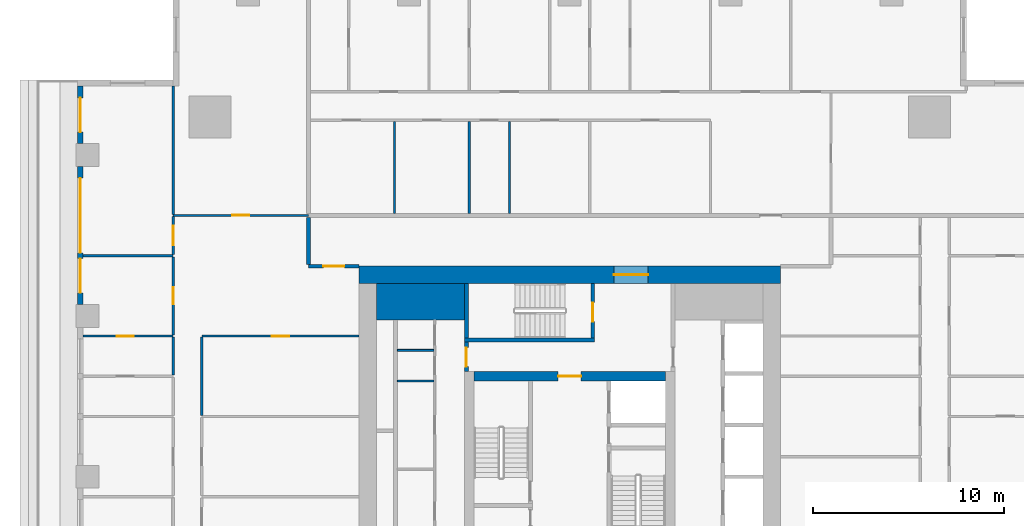
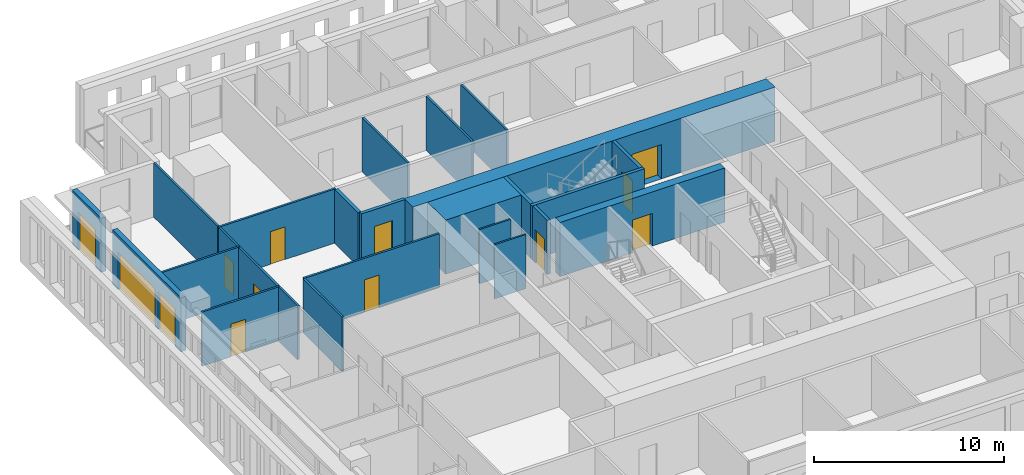
# One storey, part 6 of 14: 25 walls, 13 doors, 13 openings.
"""IFC4 building model written with IfcOpenShell, lengths in metres."""

from ifc_helpers import new_model, si_unit, direction, frame, frame_2d, origin, place, context, subcontext, project, spatial, rectangle, extrude, material, layer, layer_set, type_object, element, fill, save


model = new_model("IFC4")

# Units and contexts
model_context = context("Model", 3, precision=1e-05, world=origin(), true_north=direction((0.0, 1.0)))
body_context = subcontext(model_context, "Body", "Model", "MODEL_VIEW")
ifc_project = project(units=[si_unit("LENGTHUNIT", "METRE"), si_unit("AREAUNIT", "SQUARE_METRE"), si_unit("VOLUMEUNIT", "CUBIC_METRE"), si_unit("PLANEANGLEUNIT", "RADIAN"), si_unit("MASSUNIT", "GRAM", prefix="KILO")], contexts=[model_context])

# Site, building, storey
site_placement = place(None, origin())
site = spatial("IfcSite", under=ifc_project, at=site_placement, CompositionType="ELEMENT")
building_placement = place(site_placement, origin())
building = spatial("IfcBuilding", under=site, at=building_placement, Name="Khepri Terraces", CompositionType="ELEMENT")
storey_placement = place(building_placement, frame((0.0, 0.0, 275.699951171875)))
storey = spatial("IfcBuildingStorey", under=building, at=storey_placement, Name="L66", CompositionType="ELEMENT", Elevation=275.699951171875)

# Walls
ifc_material_1 = material(Name="Concrete C40/50", Category="concrete")
ifc_layer_1 = layer(ifc_material_1, 1.89990234375, Name="Concrete C40/50", Category="concrete")
ifc_layer_set_1 = layer_set([ifc_layer_1], Name="Concrete C40/50")
wall_type_1 = type_object("IfcWallType", Name="Core wall 1900 C40/50", PredefinedType="SHEAR", material=ifc_layer_set_1)
wall_1_placement = place(storey_placement, frame((-10.10009765625, 9.14990234375, 0.0), z_axis=(0.0, 0.0, 1.0), x_axis=(1.0, 0.0, 0.0)))
element("IfcWall", 1, at=wall_1_placement, inside=storey, type_object=wall_type_1, Name="Core wall PR03 L66", PredefinedType="SHEAR", context=body_context, shape_type="SweptSolid", body=[
    extrude(rectangle(XDim=4.60009765625, YDim=1.89990234375, at=frame_2d((2.300048828125, 0.0))), origin(), (0.0, 0.0, 1.0), 3.47998046875),
])
ifc_layer_2 = layer(ifc_material_1, 0.199951171875, Name="Concrete C40/50", Category="concrete")
ifc_layer_set_2 = layer_set([ifc_layer_2], Name="Concrete C40/50")
wall_type_2 = type_object("IfcWallType", Name="Core wall 200 C40/50", PredefinedType="SHEAR", material=ifc_layer_set_2)
wall_2_placement = place(storey_placement, frame((-5.5, 7.14990234375, 0.0), z_axis=(0.0, 0.0, 1.0), x_axis=(1.0, 0.0, 0.0)))
element("IfcWall", 2, at=wall_2_placement, inside=storey, type_object=wall_type_2, Name="Core wall ST05 L66", PredefinedType="SHEAR", context=body_context, shape_type="SweptSolid", body=[
    extrude(rectangle(XDim=6.800048828125, YDim=0.199951171875, at=frame_2d((3.39990234375, 0.0))), origin(), (0.0, 0.0, 1.0), 3.47998046875),
])
wall_3_placement = place(storey_placement, frame((-5.39990234375, 7.25, 0.0), z_axis=(0.0, 0.0, 1.0), x_axis=(0.0, 1.0, 0.0)))
element("IfcWall", 3, at=wall_3_placement, inside=storey, type_object=wall_type_2, Name="Core wall ST06 L66", PredefinedType="SHEAR", context=body_context, shape_type="SweptSolid", body=[
    extrude(rectangle(XDim=2.85009765625, YDim=0.199951171875, at=frame_2d((1.425048828125, 0.0))), origin(), (0.0, 0.0, 1.0), 3.47998046875),
])

# Wall, opening, door
wall_4_placement = place(storey_placement, frame((1.199951171875, 7.25, 0.0), z_axis=(0.0, 0.0, 1.0), x_axis=(0.0, 1.0, 0.0)))
wall_4 = element("IfcWall", 4, at=wall_4_placement, inside=storey, type_object=wall_type_2, Name="Core wall ST07 L66", PredefinedType="SHEAR", context=body_context, shape_type="SweptSolid", body=[
    extrude(rectangle(XDim=2.85009765625, YDim=0.199951171875, at=frame_2d((1.425048828125, 0.0))), origin(), (0.0, 0.0, 1.0), 3.47998046875),
])
opening_1_placement = place(wall_4_placement, frame((0.85009765625, 0.0, 0.0)))
opening_1 = element("IfcOpeningElement", 5, at=opening_1_placement, cuts=wall_4, Name="Opening L66-C15", PredefinedType="OPENING", context=body_context, shape_type="SweptSolid", body=[
    extrude(rectangle(XDim=1.0, YDim=2.10009765625, at=frame_2d((0.5, 1.050048828125))), frame((0.0, 0.10986328125, 0.0), z_axis=(0.0, -1.0, 0.0), x_axis=(1.0, 0.0, 0.0)), (0.0, 0.0, 1.0), 0.219970703125),
])
ifc_material_2 = material(Name="Painted steel", Category="steel")
door_type_1 = type_object("IfcDoorType", Name="DR-CORE-STAIR-1000", OperationType="NOTDEFINED", PredefinedType="DOOR", material=ifc_material_2)
door_1_placement = place(opening_1_placement, origin())
door_1 = element("IfcDoor", 6, at=door_1_placement, inside=storey, type_object=door_type_1, Name="Stair door L66-C15", OperationType="SINGLE_SWING_LEFT", OverallHeight=2.10009765625, OverallWidth=1.0, PredefinedType="DOOR", context=body_context, shape_type="SweptSolid", body=[
    extrude(rectangle(XDim=1.0, YDim=2.10009765625, at=frame_2d((0.5, 1.050048828125))), frame((0.0, 0.02490234375, 0.0), z_axis=(0.0, -1.0, 0.0), x_axis=(1.0, 0.0, 0.0)), (0.0, 0.0, 1.0), 0.050048828125),
])
fill(opening_1, door_1)

ifc_layer_3 = layer(ifc_material_1, 0.5, Name="Concrete C40/50", Category="concrete")
ifc_layer_set_3 = layer_set([ifc_layer_3], Name="Concrete C40/50")
wall_type_3 = type_object("IfcWallType", Name="Core wall 500 C40/50", PredefinedType="SHEAR", material=ifc_layer_set_3)
wall_5_placement = place(storey_placement, frame((-5.0, 5.25, 0.0), z_axis=(0.0, 0.0, 1.0), x_axis=(1.0, 0.0, 0.0)))
wall_5 = element("IfcWall", 7, at=wall_5_placement, inside=storey, type_object=wall_type_3, Name="Core wall BX04 L66", PredefinedType="SHEAR", context=body_context, shape_type="SweptSolid", body=[
    extrude(rectangle(XDim=10.0, YDim=0.5, at=frame_2d((5.0, 0.0))), origin(), (0.0, 0.0, 1.0), 3.47998046875),
])
opening_2_placement = place(wall_5_placement, frame((4.39990234375, 0.0, 0.0)))
opening_2 = element("IfcOpeningElement", 8, at=opening_2_placement, cuts=wall_5, Name="Opening L66-C13", PredefinedType="OPENING", context=body_context, shape_type="SweptSolid", body=[
    extrude(rectangle(XDim=1.199951171875, YDim=2.10009765625, at=frame_2d((0.60009765625, 1.050048828125))), frame((0.0, 0.260009765625, 0.0), z_axis=(0.0, -1.0, 0.0), x_axis=(1.0, 0.0, 0.0)), (0.0, 0.0, 1.0), 0.52001953125),
])
door_type_2 = type_object("IfcDoorType", Name="DR-CORE-FF-LOBBY-1200", OperationType="NOTDEFINED", PredefinedType="DOOR", material=ifc_material_2)
door_2_placement = place(opening_2_placement, frame((1.199951171875, 0.0, 0.0), z_axis=(0.0, 0.0, 1.0), x_axis=(-1.0, 0.0, 0.0)))
door_2 = element("IfcDoor", 9, at=door_2_placement, inside=storey, type_object=door_type_2, Name="Firefighting lobby door L66-C13", OperationType="SINGLE_SWING_LEFT", OverallHeight=2.10009765625, OverallWidth=1.199951171875, PredefinedType="DOOR", context=body_context, shape_type="SweptSolid", body=[
    extrude(rectangle(XDim=1.199951171875, YDim=2.10009765625, at=frame_2d((0.60009765625, 1.050048828125))), frame((0.0, 0.02490234375, 0.0), z_axis=(0.0, -1.0, 0.0), x_axis=(1.0, 0.0, 0.0)), (0.0, 0.0, 1.0), 0.050048828125),
])
fill(opening_2, door_2)

ifc_layer_4 = layer(ifc_material_1, 0.89990234375, Name="Concrete C40/50", Category="concrete")
ifc_layer_set_4 = layer_set([ifc_layer_4], Name="Concrete C40/50")
wall_type_4 = type_object("IfcWallType", Name="Core wall 900 C40/50", PredefinedType="SHEAR", material=ifc_layer_set_4)
wall_6_placement = place(storey_placement, frame((-11.0, 10.550048828125, 0.0), z_axis=(0.0, 0.0, 1.0), x_axis=(1.0, 0.0, 0.0)))
wall_6 = element("IfcWall", 10, at=wall_6_placement, inside=storey, type_object=wall_type_4, Name="Core wall OW-N L66", PredefinedType="SHEAR", context=body_context, shape_type="SweptSolid", body=[
    extrude(rectangle(XDim=22.0, YDim=0.89990234375, at=frame_2d((11.0, 0.0))), origin(), (0.0, 0.0, 1.0), 3.47998046875),
])
opening_3_placement = place(wall_6_placement, frame((13.300048828125, 0.0, 0.0)))
opening_3 = element("IfcOpeningElement", 11, at=opening_3_placement, cuts=wall_6, Name="Opening L66-C20", PredefinedType="OPENING", context=body_context, shape_type="SweptSolid", body=[
    extrude(rectangle(XDim=1.800048828125, YDim=2.199951171875, at=frame_2d((0.89990234375, 1.10009765625))), frame((0.0, 0.4599609375, 0.0), z_axis=(0.0, -1.0, 0.0), x_axis=(1.0, 0.0, 0.0)), (0.0, 0.0, 1.0), 0.919921875),
])
door_type_3 = type_object("IfcDoorType", Name="DR-CORE-ENTRANCE-1800", OperationType="NOTDEFINED", PredefinedType="DOOR", material=ifc_material_2)
door_3_placement = place(opening_3_placement, origin())
door_3 = element("IfcDoor", 12, at=door_3_placement, inside=storey, type_object=door_type_3, Name="Core entrance door pair L66-C20", OperationType="DOUBLE_DOOR_SINGLE_SWING", OverallHeight=2.199951171875, OverallWidth=1.800048828125, PredefinedType="DOOR", context=body_context, shape_type="SweptSolid", body=[
    extrude(rectangle(XDim=1.800048828125, YDim=2.199951171875, at=frame_2d((0.89990234375, 1.10009765625))), frame((0.0, 0.02490234375, 0.0), z_axis=(0.0, -1.0, 0.0), x_axis=(1.0, 0.0, 0.0)), (0.0, 0.0, 1.0), 0.050048828125),
])
fill(opening_3, door_3)

# Walls
ifc_material_3 = material(Name="Fire-rated gypsum board partition")
ifc_layer_5 = layer(ifc_material_3, 0.10009765625, Name="Fire-rated gypsum board partition")
ifc_layer_set_5 = layer_set([ifc_layer_5], Name="Fire-rated gypsum board partition")
wall_type_5 = type_object("IfcWallType", Name="WL-CORE-PART-100", PredefinedType="PARTITIONING", material=ifc_layer_set_5)
for number, where, z_axis, x_axis, name in (
    (13, (-9.0, 5.0, 0.0), (0.0, 0.0, 1.0), (1.0, 0.0, 0.0), "Core partition PT11 L66"),
    (14, (-9.0, 6.60009765625, 0.0), (0.0, 0.0, 1.0), (1.0, 0.0, 0.0), "Core partition PT14 L66"),
):
    element("IfcWall", number, at=place(storey_placement, frame(where, z_axis=z_axis, x_axis=x_axis)), inside=storey, type_object=wall_type_5, Name=name, PredefinedType="PARTITIONING", context=body_context, shape_type="SweptSolid", body=[
        extrude(rectangle(XDim=1.89990234375, YDim=0.10009765625, at=frame_2d((0.949951171875, 0.0))), origin(), (0.0, 0.0, 1.0), 3.47998046875),
    ])

# Wall, opening, door
ifc_layer_6 = layer(ifc_material_3, 0.199951171875, Name="Fire-rated gypsum board partition")
ifc_layer_set_6 = layer_set([ifc_layer_6], Name="Fire-rated gypsum board partition")
wall_type_6 = type_object("IfcWallType", Name="WL-CORE-PART-200", PredefinedType="PARTITIONING", material=ifc_layer_set_6)
wall_7_placement = place(storey_placement, frame((-5.39990234375, 5.5, 0.0), z_axis=(0.0, 0.0, 1.0), x_axis=(0.0, 1.0, 0.0)))
wall_7 = element("IfcWall", 15, at=wall_7_placement, inside=storey, type_object=wall_type_6, Name="Core partition PT12 L66", PredefinedType="PARTITIONING", context=body_context, shape_type="SweptSolid", body=[
    extrude(rectangle(XDim=1.550048828125, YDim=0.199951171875, at=frame_2d((0.77490234375, 0.0))), origin(), (0.0, 0.0, 1.0), 3.47998046875),
])
opening_4_placement = place(wall_7_placement, frame((0.25, 0.0, 0.0)))
opening_4 = element("IfcOpeningElement", 16, at=opening_4_placement, cuts=wall_7, Name="Opening L66-C16", PredefinedType="OPENING", context=body_context, shape_type="SweptSolid", body=[
    extrude(rectangle(XDim=1.0, YDim=2.10009765625, at=frame_2d((0.5, 1.050048828125))), frame((0.0, 0.10986328125, 0.0), z_axis=(0.0, -1.0, 0.0), x_axis=(1.0, 0.0, 0.0)), (0.0, 0.0, 1.0), 0.219970703125),
])
door_type_4 = type_object("IfcDoorType", Name="DR-CORE-LOBBY-1000", OperationType="NOTDEFINED", PredefinedType="DOOR", material=ifc_material_2)
door_4_placement = place(opening_4_placement, frame((1.0, 0.0, 0.0), z_axis=(0.0, 0.0, 1.0), x_axis=(-1.0, 0.0, 0.0)))
door_4 = element("IfcDoor", 17, at=door_4_placement, inside=storey, type_object=door_type_4, Name="Lobby door L66-C16", OperationType="SINGLE_SWING_RIGHT", OverallHeight=2.10009765625, OverallWidth=1.0, PredefinedType="DOOR", context=body_context, shape_type="SweptSolid", body=[
    extrude(rectangle(XDim=1.0, YDim=2.10009765625, at=frame_2d((0.5, 1.050048828125))), frame((0.0, 0.02490234375, 0.0), z_axis=(0.0, -1.0, 0.0), x_axis=(1.0, 0.0, 0.0)), (0.0, 0.0, 1.0), 0.050048828125),
])
fill(opening_4, door_4)

ifc_material_4 = material(Name="Fire-rated gypsum plasterboard partition, mineral wool")
ifc_layer_7 = layer(ifc_material_4, 0.199951171875, Name="Fire-rated gypsum plasterboard partition, mineral wool")
ifc_layer_set_7 = layer_set([ifc_layer_7], Name="Fire-rated gypsum plasterboard partition, mineral wool")
wall_type_7 = type_object("IfcWallType", Name="WL-CORR-200", PredefinedType="PARTITIONING", material=ifc_layer_set_7)
wall_8_placement = place(storey_placement, frame((-13.64990234375, 11.0, 0.0), z_axis=(0.0, 0.0, 1.0), x_axis=(1.0, 0.0, 0.0)))
wall_8 = element("IfcWall", 18, at=wall_8_placement, inside=storey, type_object=wall_type_7, Name="Partition P-069 L66", PredefinedType="PARTITIONING", context=body_context, shape_type="SweptSolid", body=[
    extrude(rectangle(XDim=2.64990234375, YDim=0.199951171875, at=frame_2d((1.324951171875, 0.0))), origin(), (0.0, 0.0, 1.0), 3.47998046875),
])
opening_5_placement = place(wall_8_placement, frame((0.77490234375, 0.0, 0.0)))
opening_5 = element("IfcOpeningElement", 19, at=opening_5_placement, cuts=wall_8, Name="Opening D1", PredefinedType="OPENING", context=body_context, shape_type="SweptSolid", body=[
    extrude(rectangle(XDim=1.10009765625, YDim=2.39990234375, at=frame_2d((0.550048828125, 1.199951171875))), frame((0.0, 0.10986328125, 0.0), z_axis=(0.0, -1.0, 0.0), x_axis=(1.0, 0.0, 0.0)), (0.0, 0.0, 1.0), 0.219970703125),
])
ifc_material_5 = material(Name="Solid-core timber door leaf, flat entrance door", Category="wood")
door_type_5 = type_object("IfcDoorType", Name="DR-ENT-1100", OperationType="NOTDEFINED", PredefinedType="DOOR", material=ifc_material_5)
door_5_placement = place(opening_5_placement, frame((1.10009765625, 0.0, 0.0), z_axis=(0.0, 0.0, 1.0), x_axis=(-1.0, 0.0, 0.0)))
door_5 = element("IfcDoor", 20, at=door_5_placement, inside=storey, type_object=door_type_5, Name="Flat D1 entrance door", OperationType="SINGLE_SWING_LEFT", OverallHeight=2.39990234375, OverallWidth=1.10009765625, PredefinedType="DOOR", context=body_context, shape_type="SweptSolid", body=[
    extrude(rectangle(XDim=1.10009765625, YDim=2.39990234375, at=frame_2d((0.550048828125, 1.199951171875))), frame((0.0, 0.02490234375, 0.0), z_axis=(0.0, -1.0, 0.0), x_axis=(1.0, 0.0, 0.0)), (0.0, 0.0, 1.0), 0.050048828125),
])
fill(opening_5, door_5)

# Wall
wall_9_placement = place(storey_placement, frame((-13.64990234375, 11.10009765625, 0.0), z_axis=(0.0, 0.0, 1.0), x_axis=(0.0, 1.0, 0.0)))
element("IfcWall", 21, at=wall_9_placement, inside=storey, type_object=wall_type_7, Name="Partition P-071 L66", PredefinedType="PARTITIONING", context=body_context, shape_type="SweptSolid", body=[
    extrude(rectangle(XDim=2.449951171875, YDim=0.199951171875, at=frame_2d((1.22509765625, 0.0))), origin(), (0.0, 0.0, 1.0), 3.47998046875),
])

# Wall, opening, door
ifc_material_6 = material(Name="Precast concrete C50/60 warm stone", Category="masonry")
ifc_layer_8 = layer(ifc_material_6, 0.300048828125, Name="Precast concrete C50/60 warm stone", Category="masonry")
ifc_layer_set_8 = layer_set([ifc_layer_8], Name="Precast concrete C50/60 warm stone")
wall_type_8 = type_object("IfcWallType", Name="WL-EXT-PRECAST-300", PredefinedType="STANDARD", material=ifc_layer_set_8)
wall_10_placement = place(storey_placement, frame((-25.570068359375, 20.419921875, 0.0), z_axis=(0.0, 0.0, 1.0), x_axis=(0.0, -1.0, 0.0)))
wall_10 = element("IfcWall", 22, at=wall_10_placement, inside=storey, type_object=wall_type_8, Name="External wall L66 W", PredefinedType="STANDARD", context=body_context, shape_type="SweptSolid", body=[
    extrude(rectangle(XDim=3.02001953125, YDim=0.300048828125, at=frame_2d((1.510009765625, 0.0))), origin(), (0.0, 0.0, 1.0), 3.47998046875),
])
opening_6_placement = place(wall_10_placement, frame((0.6201171875, 0.0, 0.0)))
opening_6 = element("IfcOpeningElement", 23, at=opening_6_placement, cuts=wall_10, Name="Opening ED-L66-08", PredefinedType="OPENING", context=body_context, shape_type="SweptSolid", body=[
    extrude(rectangle(XDim=1.800048828125, YDim=2.39990234375, at=frame_2d((0.89990234375, 1.199951171875))), frame((0.0, 0.16015625, 0.0), z_axis=(0.0, -1.0, 0.0), x_axis=(1.0, 0.0, 0.0)), (0.0, 0.0, 1.0), 0.320068359375),
])
ifc_material_7 = material(Name="Anodised aluminium bronze glazed door", Category="aluminium")
door_type_6 = type_object("IfcDoorType", Name="DR-BAL-SLIDE-1800x2400", OperationType="NOTDEFINED", PredefinedType="DOOR", material=ifc_material_7)
door_6_placement = place(opening_6_placement, origin())
door_6 = element("IfcDoor", 24, at=door_6_placement, inside=storey, type_object=door_type_6, Name="Balcony door L66 W", OperationType="SLIDING_TO_RIGHT", OverallHeight=2.39990234375, OverallWidth=1.800048828125, PredefinedType="DOOR", context=body_context, shape_type="SweptSolid", body=[
    extrude(rectangle(XDim=1.800048828125, YDim=2.39990234375, at=frame_2d((0.89990234375, 1.199951171875))), frame((0.0, 0.02490234375, 0.0), z_axis=(0.0, -1.0, 0.0), x_axis=(1.0, 0.0, 0.0)), (0.0, 0.0, 1.0), 0.050048828125),
])
fill(opening_6, door_6)

# Wall, openings, doors
wall_11_placement = place(storey_placement, frame((-25.570068359375, 16.199951171875, 0.0), z_axis=(0.0, 0.0, 1.0), x_axis=(0.0, -1.0, 0.0)))
wall_11 = element("IfcWall", 25, at=wall_11_placement, inside=storey, type_object=wall_type_8, Name="External wall L66 W", PredefinedType="STANDARD", context=body_context, shape_type="SweptSolid", body=[
    extrude(rectangle(XDim=7.199951171875, YDim=0.300048828125, at=frame_2d((3.60009765625, 0.0))), origin(), (0.0, 0.0, 1.0), 3.47998046875),
])
opening_7_placement = place(wall_11_placement, frame((0.60009765625, 0.0, 0.0)))
opening_7 = element("IfcOpeningElement", 26, at=opening_7_placement, cuts=wall_11, Name="Opening ED-L66-09", PredefinedType="OPENING", context=body_context, shape_type="SweptSolid", body=[
    extrude(rectangle(XDim=3.89990234375, YDim=2.39990234375, at=frame_2d((1.949951171875, 1.199951171875))), frame((0.0, 0.16015625, 0.0), z_axis=(0.0, -1.0, 0.0), x_axis=(1.0, 0.0, 0.0)), (0.0, 0.0, 1.0), 0.320068359375),
])
opening_8_placement = place(wall_11_placement, frame((4.800048828125, 0.0, 0.0)))
opening_8 = element("IfcOpeningElement", 27, at=opening_8_placement, cuts=wall_11, Name="Opening ED-L66-10", PredefinedType="OPENING", context=body_context, shape_type="SweptSolid", body=[
    extrude(rectangle(XDim=1.800048828125, YDim=2.39990234375, at=frame_2d((0.89990234375, 1.199951171875))), frame((0.0, 0.16015625, 0.0), z_axis=(0.0, -1.0, 0.0), x_axis=(1.0, 0.0, 0.0)), (0.0, 0.0, 1.0), 0.320068359375),
])
door_7_placement = place(opening_8_placement, origin())
door_7 = element("IfcDoor", 28, at=door_7_placement, inside=storey, type_object=door_type_6, Name="Balcony door L66 W", OperationType="SLIDING_TO_RIGHT", OverallHeight=2.39990234375, OverallWidth=1.800048828125, PredefinedType="DOOR", context=body_context, shape_type="SweptSolid", body=[
    extrude(rectangle(XDim=1.800048828125, YDim=2.39990234375, at=frame_2d((0.89990234375, 1.199951171875))), frame((0.0, 0.02490234375, 0.0), z_axis=(0.0, -1.0, 0.0), x_axis=(1.0, 0.0, 0.0)), (0.0, 0.0, 1.0), 0.050048828125),
])
fill(opening_8, door_7)
door_type_7 = type_object("IfcDoorType", Name="DR-BAL-SLIDE-3900x2400", OperationType="NOTDEFINED", PredefinedType="DOOR", material=ifc_material_7)
door_8_placement = place(opening_7_placement, origin())
door_8 = element("IfcDoor", 29, at=door_8_placement, inside=storey, type_object=door_type_7, Name="Balcony door L66 W", OperationType="SLIDING_TO_LEFT", OverallHeight=2.39990234375, OverallWidth=3.89990234375, PredefinedType="DOOR", context=body_context, shape_type="SweptSolid", body=[
    extrude(rectangle(XDim=3.89990234375, YDim=2.39990234375, at=frame_2d((1.949951171875, 1.199951171875))), frame((0.0, 0.02490234375, 0.0), z_axis=(0.0, -1.0, 0.0), x_axis=(1.0, 0.0, 0.0)), (0.0, 0.0, 1.0), 0.050048828125),
])
fill(opening_7, door_8)

# Walls
ifc_material_8 = material(Name="Gypsum plasterboard partition")
ifc_layer_9 = layer(ifc_material_8, 0.1201171875, Name="Gypsum plasterboard partition")
ifc_layer_set_9 = layer_set([ifc_layer_9], Name="Gypsum plasterboard partition")
wall_type_9 = type_object("IfcWallType", Name="WL-PART-120", PredefinedType="PARTITIONING", material=ifc_layer_set_9)
wall_12_placement = place(storey_placement, frame((-19.219970703125, 3.2099609375, 0.0), z_axis=(0.0, 0.0, 1.0), x_axis=(0.0, 1.0, 0.0)))
element("IfcWall", 30, at=wall_12_placement, inside=storey, type_object=wall_type_9, Name="Partition P-056 L66", PredefinedType="PARTITIONING", context=body_context, shape_type="SweptSolid", body=[
    extrude(rectangle(XDim=4.080078125, YDim=0.1201171875, at=frame_2d((2.0400390625, 0.0))), origin(), (0.0, 0.0, 1.0), 3.47998046875),
])
wall_13_placement = place(storey_placement, frame((-20.719970703125, 5.31005859375, 0.0), z_axis=(0.0, 0.0, 1.0), x_axis=(0.0, 1.0, 0.0)))
element("IfcWall", 31, at=wall_13_placement, inside=storey, type_object=wall_type_9, Name="Partition P-061 L66", PredefinedType="PARTITIONING", context=body_context, shape_type="SweptSolid", body=[
    extrude(rectangle(XDim=1.97998046875, YDim=0.1201171875, at=frame_2d((0.989990234375, 0.0))), origin(), (0.0, 0.0, 1.0), 3.47998046875),
])

# Wall, opening, door
wall_14_placement = place(storey_placement, frame((-25.419921875, 7.35009765625, 0.0), z_axis=(0.0, 0.0, 1.0), x_axis=(1.0, 0.0, 0.0)))
wall_14 = element("IfcWall", 32, at=wall_14_placement, inside=storey, type_object=wall_type_9, Name="Partition P-064 L66", PredefinedType="PARTITIONING", context=body_context, shape_type="SweptSolid", body=[
    extrude(rectangle(XDim=4.699951171875, YDim=0.1201171875, at=frame_2d((2.35009765625, 0.0))), origin(), (0.0, 0.0, 1.0), 3.47998046875),
])
opening_9_placement = place(wall_14_placement, frame((1.75, 0.0, 0.0)))
opening_9 = element("IfcOpeningElement", 33, at=opening_9_placement, cuts=wall_14, Name="Opening D3", PredefinedType="OPENING", context=body_context, shape_type="SweptSolid", body=[
    extrude(rectangle(XDim=0.89990234375, YDim=2.10009765625, at=frame_2d((0.449951171875, 1.050048828125))), frame((0.0, 0.070068359375, 0.0), z_axis=(0.0, -1.0, 0.0), x_axis=(1.0, 0.0, 0.0)), (0.0, 0.0, 1.0), 0.14013671875),
])
ifc_material_9 = material(Name="Timber door leaf", Category="wood")
door_type_8 = type_object("IfcDoorType", Name="DR-INT-900", OperationType="NOTDEFINED", PredefinedType="DOOR", material=ifc_material_9)
door_9_placement = place(opening_9_placement, frame((0.89990234375, 0.0, 0.0), z_axis=(0.0, 0.0, 1.0), x_axis=(-1.0, 0.0, 0.0)))
door_9 = element("IfcDoor", 34, at=door_9_placement, inside=storey, type_object=door_type_8, Name="Door Dressing Room", OperationType="SINGLE_SWING_RIGHT", OverallHeight=2.10009765625, OverallWidth=0.89990234375, PredefinedType="DOOR", context=body_context, shape_type="SweptSolid", body=[
    extrude(rectangle(XDim=0.89990234375, YDim=2.10009765625, at=frame_2d((0.449951171875, 1.050048828125))), frame((0.0, 0.02490234375, 0.0), z_axis=(0.0, -1.0, 0.0), x_axis=(1.0, 0.0, 0.0)), (0.0, 0.0, 1.0), 0.050048828125),
])
fill(opening_9, door_9)

wall_15_placement = place(storey_placement, frame((-19.219970703125, 7.35009765625, 0.0), z_axis=(0.0, 0.0, 1.0), x_axis=(1.0, 0.0, 0.0)))
wall_15 = element("IfcWall", 35, at=wall_15_placement, inside=storey, type_object=wall_type_9, Name="Partition P-065 L66", PredefinedType="PARTITIONING", context=body_context, shape_type="SweptSolid", body=[
    extrude(rectangle(XDim=8.219970703125, YDim=0.1201171875, at=frame_2d((4.10986328125, 0.0))), origin(), (0.0, 0.0, 1.0), 3.47998046875),
])
opening_10_placement = place(wall_15_placement, frame((3.659912109375, 0.0, 0.0)))
opening_10 = element("IfcOpeningElement", 36, at=opening_10_placement, cuts=wall_15, Name="Opening D3", PredefinedType="OPENING", context=body_context, shape_type="SweptSolid", body=[
    extrude(rectangle(XDim=0.89990234375, YDim=2.10009765625, at=frame_2d((0.449951171875, 1.050048828125))), frame((0.0, 0.070068359375, 0.0), z_axis=(0.0, -1.0, 0.0), x_axis=(1.0, 0.0, 0.0)), (0.0, 0.0, 1.0), 0.14013671875),
])
door_10_placement = place(opening_10_placement, frame((0.89990234375, 0.0, 0.0), z_axis=(0.0, 0.0, 1.0), x_axis=(-1.0, 0.0, 0.0)))
door_10 = element("IfcDoor", 37, at=door_10_placement, inside=storey, type_object=door_type_8, Name="Door Kitchen", OperationType="SINGLE_SWING_LEFT", OverallHeight=2.10009765625, OverallWidth=0.89990234375, PredefinedType="DOOR", context=body_context, shape_type="SweptSolid", body=[
    extrude(rectangle(XDim=0.89990234375, YDim=2.10009765625, at=frame_2d((0.449951171875, 1.050048828125))), frame((0.0, 0.02490234375, 0.0), z_axis=(0.0, -1.0, 0.0), x_axis=(1.0, 0.0, 0.0)), (0.0, 0.0, 1.0), 0.050048828125),
])
fill(opening_10, door_10)

wall_16_placement = place(storey_placement, frame((-20.719970703125, 7.409912109375, 0.0), z_axis=(0.0, 0.0, 1.0), x_axis=(0.0, 1.0, 0.0)))
wall_16 = element("IfcWall", 38, at=wall_16_placement, inside=storey, type_object=wall_type_9, Name="Partition P-067 L66", PredefinedType="PARTITIONING", context=body_context, shape_type="SweptSolid", body=[
    extrude(rectangle(XDim=4.080078125, YDim=0.1201171875, at=frame_2d((2.0400390625, 0.0))), origin(), (0.0, 0.0, 1.0), 3.47998046875),
])
opening_11_placement = place(wall_16_placement, frame((1.590087890625, 0.0, 0.0)))
opening_11 = element("IfcOpeningElement", 39, at=opening_11_placement, cuts=wall_16, Name="Opening D3", PredefinedType="OPENING", context=body_context, shape_type="SweptSolid", body=[
    extrude(rectangle(XDim=0.89990234375, YDim=2.10009765625, at=frame_2d((0.449951171875, 1.050048828125))), frame((0.0, 0.070068359375, 0.0), z_axis=(0.0, -1.0, 0.0), x_axis=(1.0, 0.0, 0.0)), (0.0, 0.0, 1.0), 0.14013671875),
])
door_11_placement = place(opening_11_placement, origin())
door_11 = element("IfcDoor", 40, at=door_11_placement, inside=storey, type_object=door_type_8, Name="Door Master Bedroom", OperationType="SINGLE_SWING_LEFT", OverallHeight=2.10009765625, OverallWidth=0.89990234375, PredefinedType="DOOR", context=body_context, shape_type="SweptSolid", body=[
    extrude(rectangle(XDim=0.89990234375, YDim=2.10009765625, at=frame_2d((0.449951171875, 1.050048828125))), frame((0.0, 0.02490234375, 0.0), z_axis=(0.0, -1.0, 0.0), x_axis=(1.0, 0.0, 0.0)), (0.0, 0.0, 1.0), 0.050048828125),
])
fill(opening_11, door_11)

# Wall
wall_17_placement = place(storey_placement, frame((-25.419921875, 11.550048828125, 0.0), z_axis=(0.0, 0.0, 1.0), x_axis=(1.0, 0.0, 0.0)))
element("IfcWall", 41, at=wall_17_placement, inside=storey, type_object=wall_type_9, Name="Partition P-073 L66", PredefinedType="PARTITIONING", context=body_context, shape_type="SweptSolid", body=[
    extrude(rectangle(XDim=4.699951171875, YDim=0.1201171875, at=frame_2d((2.35009765625, 0.0))), origin(), (0.0, 0.0, 1.0), 3.47998046875),
])

# Wall, opening, door
wall_18_placement = place(storey_placement, frame((-20.719970703125, 11.610107421875, 0.0), z_axis=(0.0, 0.0, 1.0), x_axis=(0.0, 1.0, 0.0)))
wall_18 = element("IfcWall", 42, at=wall_18_placement, inside=storey, type_object=wall_type_9, Name="Partition P-076 L66", PredefinedType="PARTITIONING", context=body_context, shape_type="SweptSolid", body=[
    extrude(rectangle(XDim=1.97998046875, YDim=0.1201171875, at=frame_2d((0.989990234375, 0.0))), origin(), (0.0, 0.0, 1.0), 3.47998046875),
])
opening_12_placement = place(wall_18_placement, frame((0.489990234375, 0.0, 0.0)))
opening_12 = element("IfcOpeningElement", 43, at=opening_12_placement, cuts=wall_18, Name="Opening D2", PredefinedType="OPENING", context=body_context, shape_type="SweptSolid", body=[
    extrude(rectangle(XDim=1.0, YDim=2.10009765625, at=frame_2d((0.5, 1.050048828125))), frame((0.0, 0.070068359375, 0.0), z_axis=(0.0, -1.0, 0.0), x_axis=(1.0, 0.0, 0.0)), (0.0, 0.0, 1.0), 0.14013671875),
])
ifc_material_10 = material(Name="Timber door leaf, living room door", Category="wood")
door_type_9 = type_object("IfcDoorType", Name="DR-INT-1000", OperationType="NOTDEFINED", PredefinedType="DOOR", material=ifc_material_10)
door_12_placement = place(opening_12_placement, origin())
door_12 = element("IfcDoor", 44, at=door_12_placement, inside=storey, type_object=door_type_9, Name="Door Living Room", OperationType="SINGLE_SWING_RIGHT", OverallHeight=2.10009765625, OverallWidth=1.0, PredefinedType="DOOR", context=body_context, shape_type="SweptSolid", body=[
    extrude(rectangle(XDim=1.0, YDim=2.10009765625, at=frame_2d((0.5, 1.050048828125))), frame((0.0, 0.02490234375, 0.0), z_axis=(0.0, -1.0, 0.0), x_axis=(1.0, 0.0, 0.0)), (0.0, 0.0, 1.0), 0.050048828125),
])
fill(opening_12, door_12)

wall_19_placement = place(storey_placement, frame((-20.719970703125, 13.64990234375, 0.0), z_axis=(0.0, 0.0, 1.0), x_axis=(1.0, 0.0, 0.0)))
wall_19 = element("IfcWall", 45, at=wall_19_placement, inside=storey, type_object=wall_type_9, Name="Partition P-079 L66", PredefinedType="PARTITIONING", context=body_context, shape_type="SweptSolid", body=[
    extrude(rectangle(XDim=7.070068359375, YDim=0.1201171875, at=frame_2d((3.53515625, 0.0))), origin(), (0.0, 0.0, 1.0), 3.47998046875),
])
opening_13_placement = place(wall_19_placement, frame((3.0849609375, 0.0, 0.0)))
opening_13 = element("IfcOpeningElement", 46, at=opening_13_placement, cuts=wall_19, Name="Opening D3", PredefinedType="OPENING", context=body_context, shape_type="SweptSolid", body=[
    extrude(rectangle(XDim=0.89990234375, YDim=2.10009765625, at=frame_2d((0.449951171875, 1.050048828125))), frame((0.0, 0.070068359375, 0.0), z_axis=(0.0, -1.0, 0.0), x_axis=(1.0, 0.0, 0.0)), (0.0, 0.0, 1.0), 0.14013671875),
])
door_13_placement = place(opening_13_placement, origin())
door_13 = element("IfcDoor", 47, at=door_13_placement, inside=storey, type_object=door_type_8, Name="Door Home Cinema", OperationType="SINGLE_SWING_RIGHT", OverallHeight=2.10009765625, OverallWidth=0.89990234375, PredefinedType="DOOR", context=body_context, shape_type="SweptSolid", body=[
    extrude(rectangle(XDim=0.89990234375, YDim=2.10009765625, at=frame_2d((0.449951171875, 1.050048828125))), frame((0.0, 0.02490234375, 0.0), z_axis=(0.0, -1.0, 0.0), x_axis=(1.0, 0.0, 0.0)), (0.0, 0.0, 1.0), 0.050048828125),
])
fill(opening_13, door_13)

# Walls
wall_20_placement = place(storey_placement, frame((-20.719970703125, 13.7099609375, 0.0), z_axis=(0.0, 0.0, 1.0), x_axis=(0.0, 1.0, 0.0)))
element("IfcWall", 48, at=wall_20_placement, inside=storey, type_object=wall_type_9, Name="Partition P-081 L66", PredefinedType="PARTITIONING", context=body_context, shape_type="SweptSolid", body=[
    extrude(rectangle(XDim=6.7099609375, YDim=0.1201171875, at=frame_2d((3.35498046875, 0.0))), origin(), (0.0, 0.0, 1.0), 3.47998046875),
])
for number, where, z_axis, x_axis, name in (
    (49, (-9.14990234375, 13.75, 0.0), (0.0, 0.0, 1.0), (0.0, 1.0, 0.0), "Partition P-083 L66"),
    (50, (-5.25, 13.75, 0.0), (0.0, 0.0, 1.0), (0.0, 1.0, 0.0), "Partition P-084 L66"),
    (51, (-3.14990234375, 13.75, 0.0), (0.0, 0.0, 1.0), (0.0, 1.0, 0.0), "Partition P-085 L66"),
):
    element("IfcWall", number, at=place(storey_placement, frame(where, z_axis=z_axis, x_axis=x_axis)), inside=storey, type_object=wall_type_9, Name=name, PredefinedType="PARTITIONING", context=body_context, shape_type="SweptSolid", body=[
        extrude(rectangle(XDim=4.81005859375, YDim=0.1201171875, at=frame_2d((2.405029296875, 0.0))), origin(), (0.0, 0.0, 1.0), 3.47998046875),
    ])

save(model, "model.ifc")
